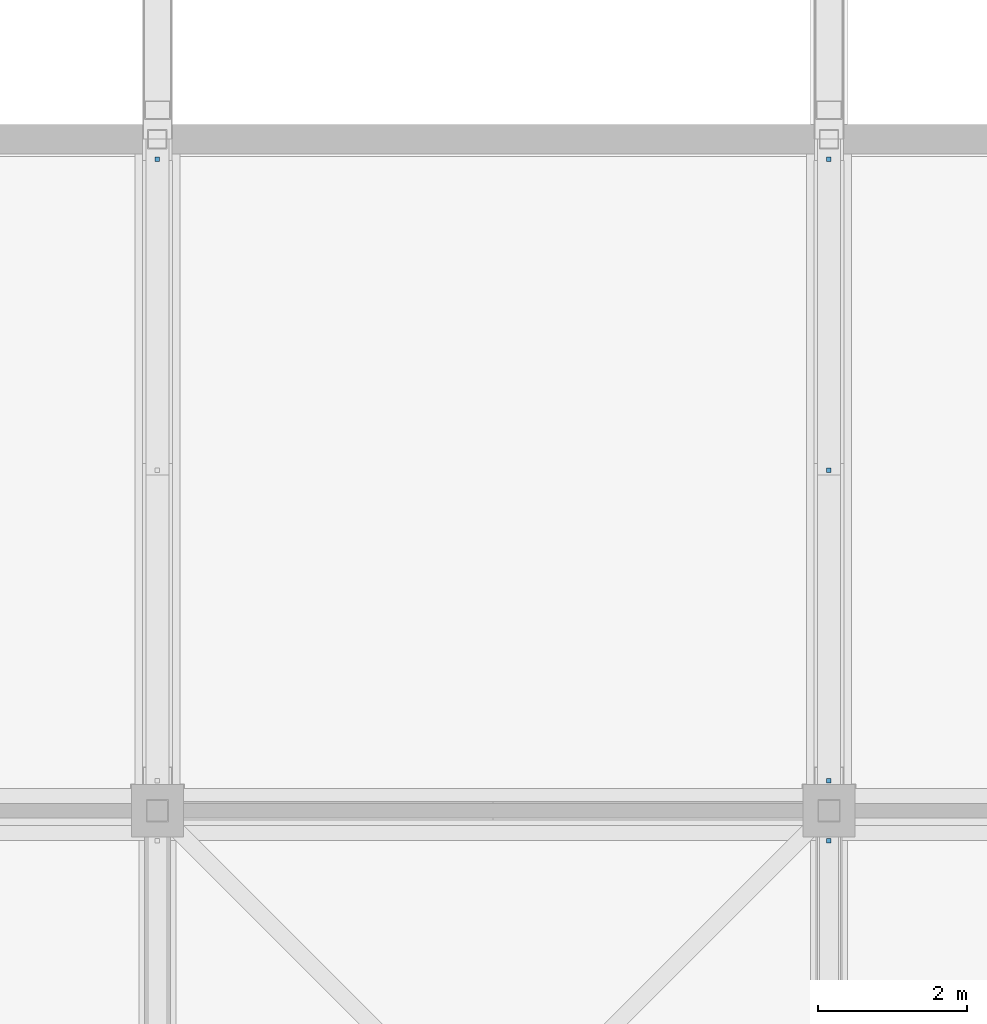
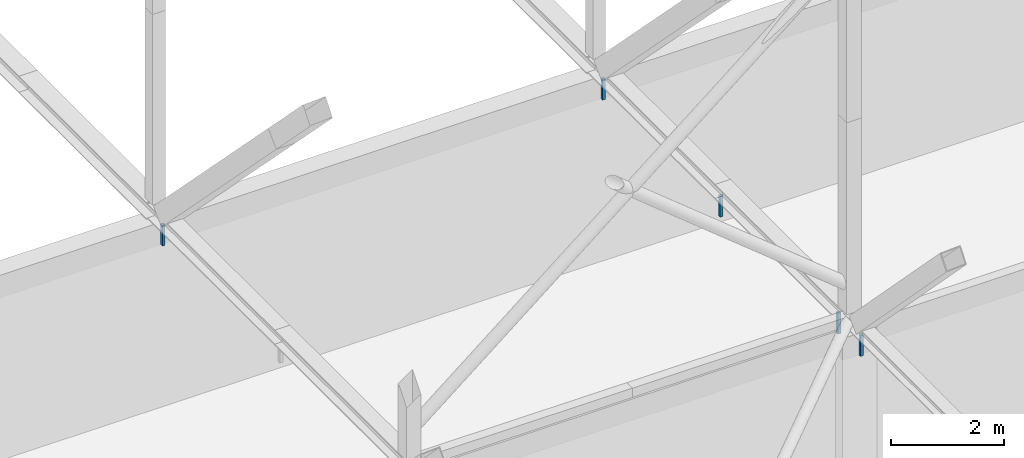
# One storey, part 190 of 646: 5 discrete accessories.
"""IFC4 building model written with IfcOpenShell, lengths in metres."""

from ifc_helpers import new_model, si_unit, direction, frame, origin, origin_2d, place, context, subcontext, project, spatial, rectangle, extrude, material, type_object, element, save


model = new_model("IFC4")

# Units and contexts
model_context = context("Model", 3, precision=1e-05, world=origin(), true_north=direction((0.0, 1.0)))
body_context = subcontext(model_context, "Body", "Model", "MODEL_VIEW")
ifc_project = project(units=[si_unit("LENGTHUNIT", "METRE"), si_unit("AREAUNIT", "SQUARE_METRE"), si_unit("VOLUMEUNIT", "CUBIC_METRE"), si_unit("PLANEANGLEUNIT", "RADIAN"), si_unit("MASSUNIT", "GRAM", prefix="KILO")], contexts=[model_context])

# Site, building, storey
site_placement = place(None, origin())
site = spatial("IfcSite", under=ifc_project, at=site_placement, CompositionType="ELEMENT")
building_placement = place(site_placement, origin())
building = spatial("IfcBuilding", under=site, at=building_placement, Name="Silverbay Arena", CompositionType="ELEMENT")
storey_placement = place(building_placement, frame((0.0, 0.0, 33.5)))
storey = spatial("IfcBuildingStorey", under=building, at=storey_placement, Name="L05", CompositionType="ELEMENT", Elevation=33.5)

# Discrete accessories
ifc_material = material(Name="Steel S355", Category="steel")
discrete_accessory_type = type_object("IfcDiscreteAccessoryType", Name="Ceiling hanger", PredefinedType="BRACKET", material=ifc_material)
for number, where, z_axis, x_axis, name in (
    (1, (126.0, 35.72998046875, 3.5498046875), (0.0, 0.0, 1.0), (1.0, 0.0, 0.0), "Ceiling hanger"),
    (2, (135.0, 27.39990234375, 3.5498046875), (0.0, 0.0, 1.0), (1.0, 0.0, 0.0), "Ceiling hanger"),
    (3, (135.0, 31.56494140625, 3.5498046875), (0.0, 0.0, 1.0), (1.0, 0.0, 0.0), "Ceiling hanger"),
    (4, (135.0, 35.72998046875, 3.5498046875), (0.0, 0.0, 1.0), (1.0, 0.0, 0.0), "Ceiling hanger"),
    (5, (135.0, 26.60009765625, 3.5498046875), (0.0, 0.0, 1.0), (1.0, 0.0, 0.0), "Ceiling hanger"),
):
    element("IfcDiscreteAccessory", number, at=place(storey_placement, frame(where, z_axis=z_axis, x_axis=x_axis)), inside=storey, type_object=discrete_accessory_type, Name=name, PredefinedType="BRACKET", context=body_context, shape_type="SweptSolid", body=[
        extrude(rectangle(XDim=0.06005859375, YDim=0.06005859375, at=origin_2d()), origin(), (0.0, 0.0, 1.0), 0.449951171875),
    ])

save(model, "model.ifc")
